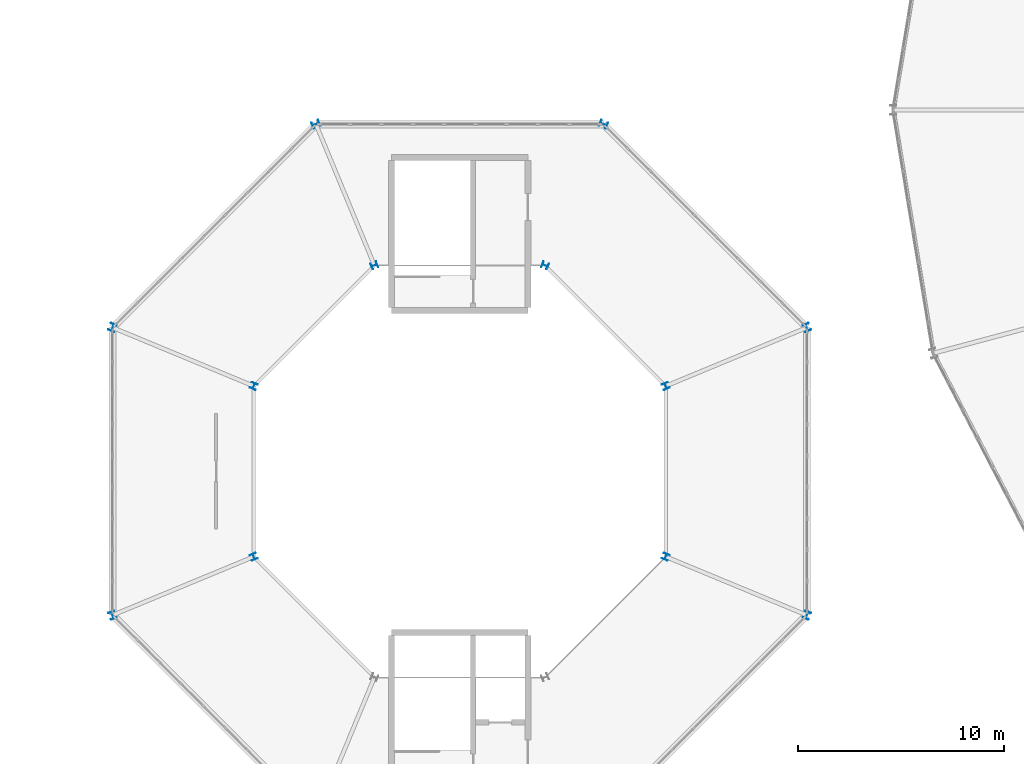
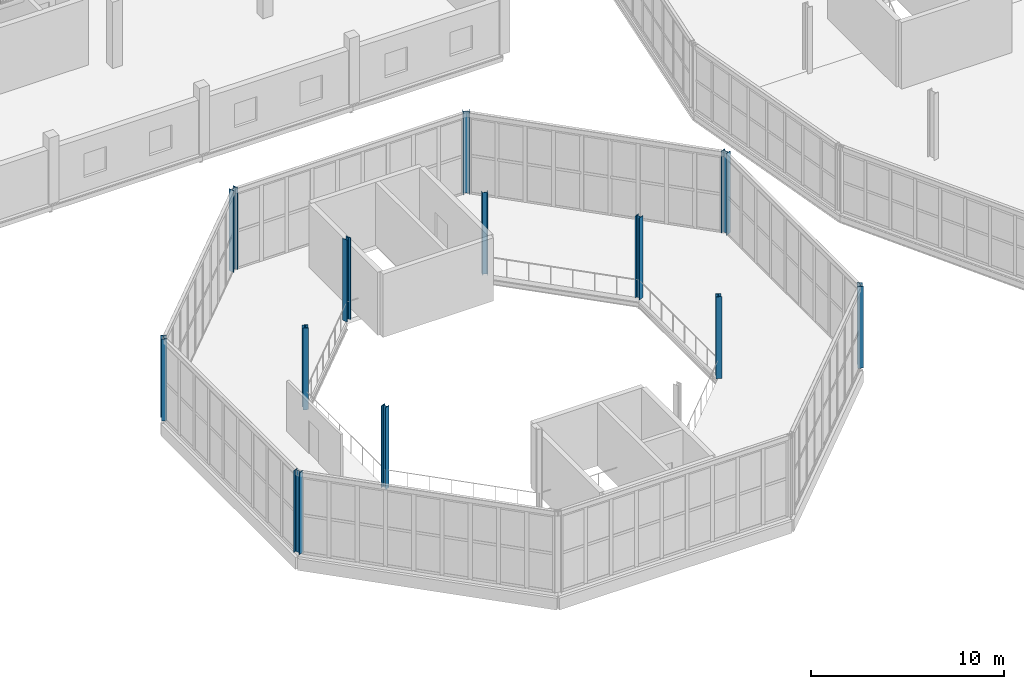
# One storey, part 9 of 161: 12 columns.
"""IFC4 building model written with IfcOpenShell, lengths in metres."""

from ifc_helpers import new_model, si_unit, direction, frame, origin, origin_2d, place, context, subcontext, project, spatial, i_section, extrude, material, material_profile, profile_set, type_object, element, save


model = new_model("IFC4")

# Units and contexts
model_context = context("Model", 3, precision=1e-05, world=origin(), true_north=direction((0.0, 1.0)))
body_context = subcontext(model_context, "Body", "Model", "MODEL_VIEW")
ifc_project = project(units=[si_unit("LENGTHUNIT", "METRE"), si_unit("AREAUNIT", "SQUARE_METRE"), si_unit("VOLUMEUNIT", "CUBIC_METRE"), si_unit("PLANEANGLEUNIT", "RADIAN"), si_unit("MASSUNIT", "GRAM", prefix="KILO")], contexts=[model_context])

# Site, building, storey
site_placement = place(None, origin())
site = spatial("IfcSite", under=ifc_project, at=site_placement, CompositionType="ELEMENT")
building_placement = place(site_placement, origin())
building = spatial("IfcBuilding", under=site, at=building_placement, Name="Kildeholm Park Wholesale Market", CompositionType="ELEMENT")
storey_placement = place(building_placement, frame((0.0, 0.0, 5.39990234375)))
storey = spatial("IfcBuildingStorey", under=building, at=storey_placement, Name="L01", CompositionType="ELEMENT", Elevation=5.39990234375)

# Columns
ifc_material = material(Name="Steel S355", Category="steel")
ifc_material_profile_1 = material_profile(ifc_material, i_section(OverallWidth=0.300048828125, OverallDepth=0.300048828125, WebThickness=0.010986328125, FlangeThickness=0.01904296875, FilletRadius=0.027099609375, at=origin_2d()), Name="HEB 300")
ifc_profile_set_1 = profile_set([ifc_material_profile_1], Name="Steel S355")
column_type_1 = type_object("IfcColumnType", Name="Column C-S03 HEB 300", PredefinedType="COLUMN", material=ifc_profile_set_1)
for number, where, z_axis, x_axis, name in (
    (1, (30.97802734375, 76.133056640625, 0.0), (0.0, 0.0, 1.0), (0.923879532511, 0.382683432365, 0.0), "Column V3-IN-00 L01 COL-0298"),
    (2, (25.133056640625, 81.97802734375, 0.0), (0.0, 0.0, 1.0), (0.382683432365, 0.923879532511, 0.0), "Column V3-IN-01 L01 COL-0302"),
    (3, (16.866943359375, 81.97802734375, 0.0), (0.0, 0.0, 1.0), (-0.382683432365, 0.923879532511, 0.0), "Column V3-IN-02 L01 COL-0306"),
    (4, (11.02197265625, 76.133056640625, 0.0), (0.0, 0.0, 1.0), (-0.923879532511, 0.382683432365, 0.0), "Column V3-IN-03 L01 COL-0310"),
    (5, (11.02197265625, 67.866943359375, 0.0), (0.0, 0.0, 1.0), (-0.923879532511, -0.382683432365, 0.0), "Column V3-IN-04 L01 COL-0314"),
    (6, (30.97802734375, 67.866943359375, 0.0), (0.0, 0.0, 1.0), (0.923879532511, -0.382683432365, 0.0), "Column V3-IN-07 L01 COL-0326"),
):
    element("IfcColumn", number, at=place(storey_placement, frame(where, z_axis=z_axis, x_axis=x_axis)), inside=storey, type_object=column_type_1, Name=name, PredefinedType="COLUMN", context=body_context, shape_type="SweptSolid", body=[
        extrude(i_section(OverallWidth=0.300048828125, OverallDepth=0.300048828125, WebThickness=0.010986328125, FlangeThickness=0.01904296875, FilletRadius=0.027099609375, at=origin_2d()), origin(), (0.0, 0.0, 1.0), 5.18017578125),
    ])
ifc_material_profile_2 = material_profile(ifc_material, i_section(OverallWidth=0.300048828125, OverallDepth=0.360107421875, WebThickness=0.012451171875, FlangeThickness=0.0224609375, FilletRadius=0.027099609375, at=origin_2d()), Name="HEB 360")
ifc_profile_set_2 = profile_set([ifc_material_profile_2], Name="Steel S355")
column_type_2 = type_object("IfcColumnType", Name="Column C-S04 HEB 360", PredefinedType="COLUMN", material=ifc_profile_set_2)
for number, where, z_axis, x_axis, name in (
    (7, (37.81494140625, 78.965087890625, 0.0), (0.0, 0.0, 1.0), (0.923879532511, 0.382683432365, 0.0), "Column V3-OT-00 L01 COL-0300"),
    (8, (27.965087890625, 88.81494140625, 0.0), (0.0, 0.0, 1.0), (0.382683432365, 0.923879532511, 0.0), "Column V3-OT-01 L01 COL-0304"),
    (9, (14.034912109375, 88.81494140625, 0.0), (0.0, 0.0, 1.0), (-0.382683432365, 0.923879532511, 0.0), "Column V3-OT-02 L01 COL-0308"),
    (10, (4.18505859375, 78.965087890625, 0.0), (0.0, 0.0, 1.0), (-0.923879532511, 0.382683432365, 0.0), "Column V3-OT-03 L01 COL-0312"),
    (11, (4.18505859375, 65.034912109375, 0.0), (0.0, 0.0, 1.0), (-0.923879532511, -0.382683432365, 0.0), "Column V3-OT-04 L01 COL-0316"),
    (12, (37.81494140625, 65.034912109375, 0.0), (0.0, 0.0, 1.0), (0.923879532511, -0.382683432365, 0.0), "Column V3-OT-07 L01 COL-0328"),
):
    element("IfcColumn", number, at=place(storey_placement, frame(where, z_axis=z_axis, x_axis=x_axis)), inside=storey, type_object=column_type_2, Name=name, PredefinedType="COLUMN", context=body_context, shape_type="SweptSolid", body=[
        extrude(i_section(OverallWidth=0.300048828125, OverallDepth=0.360107421875, WebThickness=0.012451171875, FlangeThickness=0.0224609375, FilletRadius=0.027099609375, at=origin_2d()), origin(), (0.0, 0.0, 1.0), 5.18017578125),
    ])

save(model, "model.ifc")
